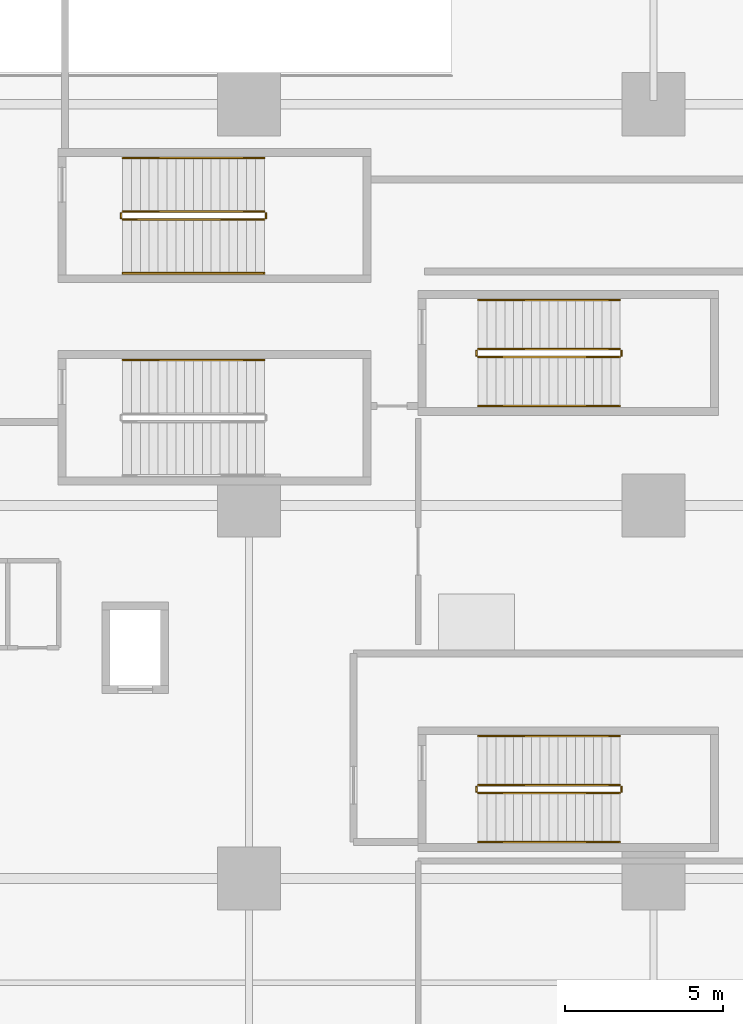
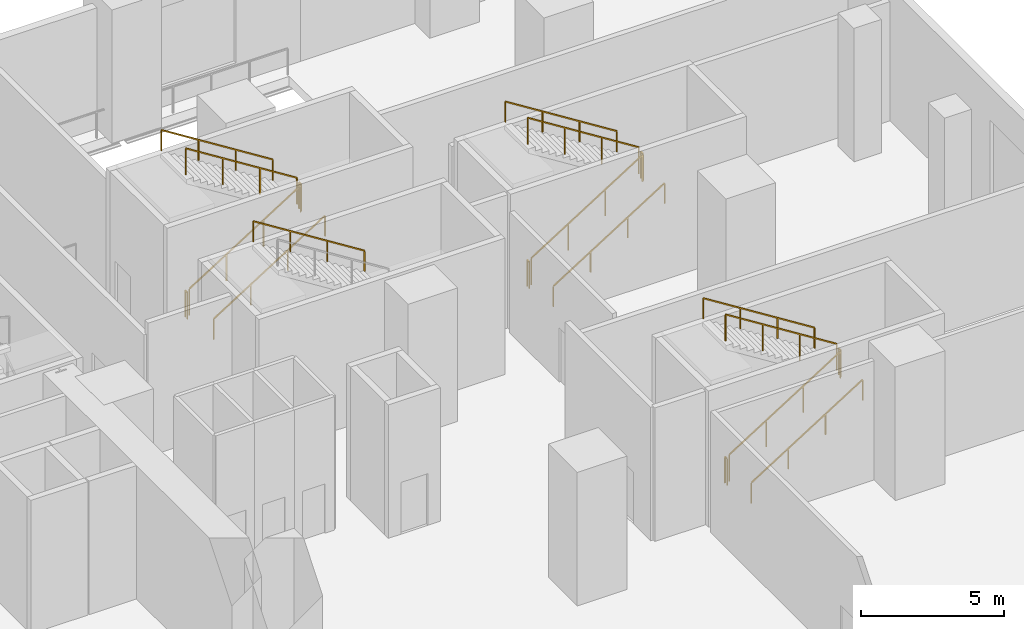
# One storey, part 24 of 25: 19 railings.
"""IFC4 building model written with IfcOpenShell, lengths in metres."""

from ifc_helpers import new_model, si_unit, direction, frame, origin, origin_2d, place, context, subcontext, project, spatial, rectangle, extrude, source, transform, mapped, material, type_object, element, save


model = new_model("IFC4")

# Units and contexts
model_context = context("Model", 3, precision=1e-05, world=origin(), true_north=direction((0.0, 1.0)))
body_context = subcontext(model_context, "Body", "Model", "MODEL_VIEW")
ifc_project = project(units=[si_unit("LENGTHUNIT", "METRE"), si_unit("AREAUNIT", "SQUARE_METRE"), si_unit("VOLUMEUNIT", "CUBIC_METRE"), si_unit("PLANEANGLEUNIT", "RADIAN"), si_unit("MASSUNIT", "GRAM", prefix="KILO")], contexts=[model_context])

# Site, building, storey
site_placement = place(None, origin())
site = spatial("IfcSite", under=ifc_project, at=site_placement, CompositionType="ELEMENT")
building_placement = place(site_placement, origin())
building = spatial("IfcBuilding", under=site, at=building_placement, Name="Vardaveli Station Tower", CompositionType="ELEMENT")
storey_placement = place(building_placement, origin())
storey = spatial("IfcBuildingStorey", under=building, at=storey_placement, Name="L01", CompositionType="ELEMENT", Elevation=0.0)

# Railings
ifc_material = material(Name="Brushed AISI 316 stainless steel", Category="steel")
railing_type_1 = type_object("IfcRailingType", Name="RL-GUARD-1150", PredefinedType="GUARDRAIL", material=ifc_material)
shared_shape_1 = source(origin(), body_context, "Body", "SweptSolid", [
    extrude(rectangle(XDim=0.048095703125, YDim=0.048095703125, at=origin_2d()), frame((0.0, 0.0, 1.1259765625), z_axis=(0.0, 1.0, 0.0), x_axis=(-1.0, 0.0, 0.0)), (0.0, 0.0, 1.0), 0.14990234375),
    extrude(rectangle(XDim=0.0419921875, YDim=0.0419921875, at=origin_2d()), origin(), (0.0, 0.0, 1.0), 1.101806640625),
    extrude(rectangle(XDim=0.0419921875, YDim=0.0419921875, at=origin_2d()), frame((0.0, 0.14990234375, 0.0)), (0.0, 0.0, 1.0), 1.101806640625),
])
for number, where, name in (
    (1, (60.530029296875, 38.0, 3.0), "L01 ST-P2 stair guard 2"),
    (2, (55.949951171875, 38.0, 0.0), "L01 ST-P2 stair guard 4"),
    (3, (71.780029296875, 19.85009765625, 3.0), "L01 ST-C1 stair guard 2"),
    (4, (67.199951171875, 19.85009765625, 0.0), "L01 ST-C1 stair guard 4"),
):
    element("IfcRailing", number, at=place(storey_placement, frame(where)), inside=storey, type_object=railing_type_1, Name=name, PredefinedType="GUARDRAIL", context=body_context, shape_type="MappedRepresentation", body=[
        mapped(shared_shape_1, transform((0.0, 0.0, 0.0), scale=1.0)),
    ])
shared_shape_2 = source(origin(), body_context, "Body", "SweptSolid", [
    extrude(rectangle(XDim=0.048095703125, YDim=0.048095703125, at=origin_2d()), frame((0.0, 0.0, 1.1259765625), z_axis=(0.845997938375, 0.0, 0.533186166611), x_axis=(0.0, 1.0, 0.0)), (0.0, 0.0, 1.0), 5.29541015625),
    extrude(rectangle(XDim=0.0419921875, YDim=0.0419921875, at=origin_2d()), origin(), (0.0, 0.0, 1.0), 1.101806640625),
    extrude(rectangle(XDim=0.0419921875, YDim=0.0419921875, at=origin_2d()), frame((1.493408203125, 0.0, 0.941162109375)), (0.0, 0.0, 1.0), 1.101806640625),
    extrude(rectangle(XDim=0.0419921875, YDim=0.0419921875, at=origin_2d()), frame((2.986572265625, 0.0, 1.88232421875)), (0.0, 0.0, 1.0), 1.101806640625),
    extrude(rectangle(XDim=0.0419921875, YDim=0.0419921875, at=origin_2d()), frame((4.47998046875, 0.0, 2.823486328125)), (0.0, 0.0, 1.0), 1.101806640625),
])
for number, where, name in (
    (5, (56.0, 37.949951171875, 0.176513671875), "L01 ST-P2 stair guard 1"),
    (6, (67.25, 19.800048828125, 0.176513671875), "L01 ST-C1 stair guard 1"),
    (7, (67.25, 33.60009765625, 0.176513671875), "L01 ST-C2 stair guard 1"),
):
    element("IfcRailing", number, at=place(storey_placement, frame(where)), inside=storey, type_object=railing_type_1, Name=name, PredefinedType="GUARDRAIL", context=body_context, shape_type="MappedRepresentation", body=[
        mapped(shared_shape_2, transform((0.0, 0.0, 0.0), scale=1.0)),
    ])
shared_shape_3 = source(origin(), body_context, "Body", "SweptSolid", [
    extrude(rectangle(XDim=0.048095703125, YDim=0.048095703125, at=origin_2d()), frame((0.0, 0.0, 1.1259765625), z_axis=(-0.845997938375, 0.0, 0.533186166611), x_axis=(0.0, -1.0, 0.0)), (0.0, 0.0, 1.0), 5.29541015625),
    extrude(rectangle(XDim=0.0419921875, YDim=0.0419921875, at=origin_2d()), origin(), (0.0, 0.0, 1.0), 1.101806640625),
    extrude(rectangle(XDim=0.0419921875, YDim=0.0419921875, at=origin_2d()), frame((-1.493408203125, 0.0, 0.941162109375)), (0.0, 0.0, 1.0), 1.101806640625),
    extrude(rectangle(XDim=0.0419921875, YDim=0.0419921875, at=origin_2d()), frame((-2.986572265625, 0.0, 1.88232421875)), (0.0, 0.0, 1.0), 1.101806640625),
    extrude(rectangle(XDim=0.0419921875, YDim=0.0419921875, at=origin_2d()), frame((-4.47998046875, 0.0, 2.823486328125)), (0.0, 0.0, 1.0), 1.101806640625),
])
for number, where, name in (
    (8, (60.47998046875, 38.199951171875, 3.176513671875), "L01 ST-P2 stair guard 3"),
    (9, (71.72998046875, 20.050048828125, 3.176513671875), "L01 ST-C1 stair guard 3"),
    (10, (71.72998046875, 33.85009765625, 3.176513671875), "L01 ST-C2 stair guard 3"),
):
    element("IfcRailing", number, at=place(storey_placement, frame(where)), inside=storey, type_object=railing_type_1, Name=name, PredefinedType="GUARDRAIL", context=body_context, shape_type="MappedRepresentation", body=[
        mapped(shared_shape_3, transform((0.0, 0.0, 0.0), scale=1.0)),
    ])
railing_type_2 = type_object("IfcRailingType", Name="RL-HAND-900", PredefinedType="HANDRAIL", material=ifc_material)
shared_shape_4 = source(origin(), body_context, "Body", "SweptSolid", [
    extrude(rectangle(XDim=0.048095703125, YDim=0.048095703125, at=origin_2d()), frame((0.0, 0.0, 0.8759765625), z_axis=(0.845997938375, 0.0, 0.533186166611), x_axis=(0.0, 1.0, 0.0)), (0.0, 0.0, 1.0), 5.29541015625),
    extrude(rectangle(XDim=0.0419921875, YDim=0.0419921875, at=origin_2d()), origin(), (0.0, 0.0, 1.0), 0.851806640625),
    extrude(rectangle(XDim=0.0419921875, YDim=0.0419921875, at=origin_2d()), frame((1.493408203125, 0.0, 0.941162109375)), (0.0, 0.0, 1.0), 0.851806640625),
    extrude(rectangle(XDim=0.0419921875, YDim=0.0419921875, at=origin_2d()), frame((2.986572265625, 0.0, 1.88232421875)), (0.0, 0.0, 1.0), 0.851806640625),
    extrude(rectangle(XDim=0.0419921875, YDim=0.0419921875, at=origin_2d()), frame((4.47998046875, 0.0, 2.823486328125)), (0.0, 0.0, 1.0), 0.851806640625),
])
for number, where, name in (
    (11, (56.0, 36.25, 0.176513671875), "L01 ST-P2 stair handrail 1"),
    (12, (67.25, 18.25, 0.176513671875), "L01 ST-C1 stair handrail 1"),
    (13, (67.25, 32.050048828125, 0.176513671875), "L01 ST-C2 stair handrail 1"),
):
    element("IfcRailing", number, at=place(storey_placement, frame(where)), inside=storey, type_object=railing_type_2, Name=name, PredefinedType="HANDRAIL", context=body_context, shape_type="MappedRepresentation", body=[
        mapped(shared_shape_4, transform((0.0, 0.0, 0.0), scale=1.0)),
    ])
shared_shape_5 = source(origin(), body_context, "Body", "SweptSolid", [
    extrude(rectangle(XDim=0.048095703125, YDim=0.048095703125, at=origin_2d()), frame((0.0, 0.0, 0.8759765625), z_axis=(-0.845997938375, 0.0, 0.533186166611), x_axis=(0.0, -1.0, 0.0)), (0.0, 0.0, 1.0), 5.29541015625),
    extrude(rectangle(XDim=0.0419921875, YDim=0.0419921875, at=origin_2d()), origin(), (0.0, 0.0, 1.0), 0.851806640625),
    extrude(rectangle(XDim=0.0419921875, YDim=0.0419921875, at=origin_2d()), frame((-1.493408203125, 0.0, 0.941162109375)), (0.0, 0.0, 1.0), 0.851806640625),
    extrude(rectangle(XDim=0.0419921875, YDim=0.0419921875, at=origin_2d()), frame((-2.986572265625, 0.0, 1.88232421875)), (0.0, 0.0, 1.0), 0.851806640625),
    extrude(rectangle(XDim=0.0419921875, YDim=0.0419921875, at=origin_2d()), frame((-4.47998046875, 0.0, 2.823486328125)), (0.0, 0.0, 1.0), 0.851806640625),
])
for number, where, name in (
    (14, (60.47998046875, 33.5, 3.176513671875), "L01 ST-S2 stair handrail 2"),
    (15, (60.47998046875, 39.89990234375, 3.176513671875), "L01 ST-P2 stair handrail 2"),
    (16, (71.72998046875, 21.60009765625, 3.176513671875), "L01 ST-C1 stair handrail 2"),
    (17, (71.72998046875, 35.39990234375, 3.176513671875), "L01 ST-C2 stair handrail 2"),
):
    element("IfcRailing", number, at=place(storey_placement, frame(where)), inside=storey, type_object=railing_type_2, Name=name, PredefinedType="HANDRAIL", context=body_context, shape_type="MappedRepresentation", body=[
        mapped(shared_shape_5, transform((0.0, 0.0, 0.0), scale=1.0)),
    ])
shared_shape_6 = source(origin(), body_context, "Body", "SweptSolid", [
    extrude(rectangle(XDim=0.048095703125, YDim=0.048095703125, at=origin_2d()), frame((0.0, 0.0, 1.1259765625), z_axis=(0.0, 1.0, 0.0), x_axis=(-1.0, 0.0, 0.0)), (0.0, 0.0, 1.0), 0.150146484375),
    extrude(rectangle(XDim=0.0419921875, YDim=0.0419921875, at=origin_2d()), origin(), (0.0, 0.0, 1.0), 1.101806640625),
    extrude(rectangle(XDim=0.0419921875, YDim=0.0419921875, at=origin_2d()), frame((0.0, 0.150146484375, 0.0)), (0.0, 0.0, 1.0), 1.101806640625),
])
for number, where, name in (
    (18, (71.780029296875, 33.64990234375, 3.0), "L01 ST-C2 stair guard 2"),
    (19, (67.199951171875, 33.64990234375, 0.0), "L01 ST-C2 stair guard 4"),
):
    element("IfcRailing", number, at=place(storey_placement, frame(where)), inside=storey, type_object=railing_type_1, Name=name, PredefinedType="GUARDRAIL", context=body_context, shape_type="MappedRepresentation", body=[
        mapped(shared_shape_6, transform((0.0, 0.0, 0.0), scale=1.0)),
    ])

save(model, "model.ifc")
